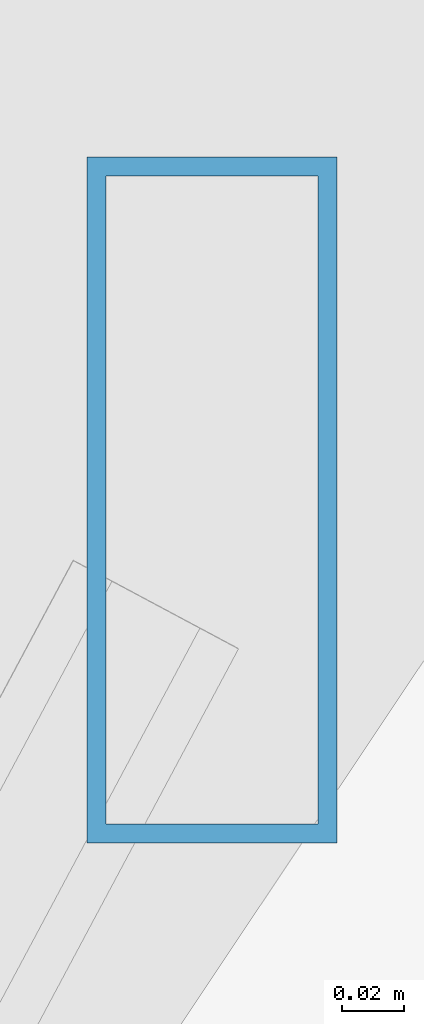
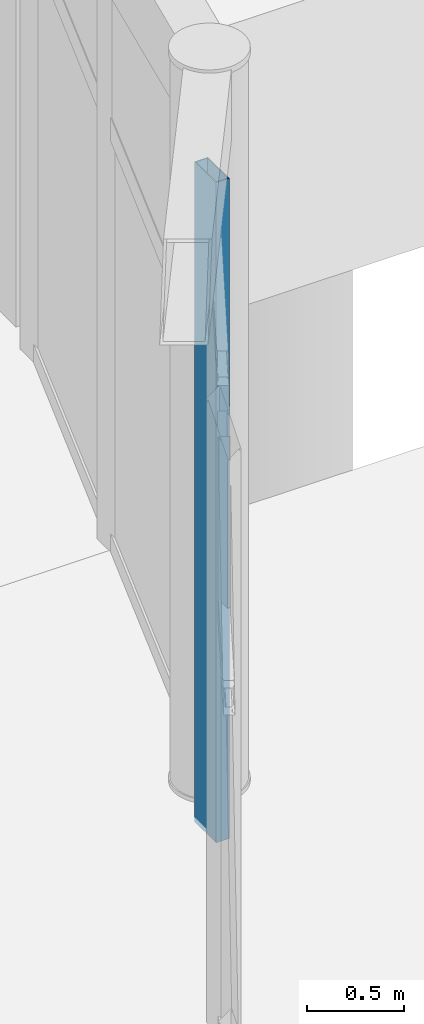
# One storey, part 77 of 160: 1 member, 1 element without a shape of its own.
"""IFC4 building model written with IfcOpenShell, lengths in metres."""

from ifc_helpers import new_model, si_unit, direction, frame, origin, origin_2d, place, context, subcontext, project, spatial, hollow_rectangle, extrude, material, layer, layer_set, material_profile, profile_set, type_object, element, aggregate, save


model = new_model("IFC4")

# Units and contexts
model_context = context("Model", 3, precision=1e-05, world=origin(), true_north=direction((0.0, 1.0)))
body_context = subcontext(model_context, "Body", "Model", "MODEL_VIEW")
ifc_project = project(units=[si_unit("LENGTHUNIT", "METRE"), si_unit("AREAUNIT", "SQUARE_METRE"), si_unit("VOLUMEUNIT", "CUBIC_METRE"), si_unit("PLANEANGLEUNIT", "RADIAN"), si_unit("MASSUNIT", "GRAM", prefix="KILO")], contexts=[model_context])

# Site, building, storey
site_placement = place(None, origin())
site = spatial("IfcSite", under=ifc_project, at=site_placement, CompositionType="ELEMENT")
building_placement = place(site_placement, origin())
building = spatial("IfcBuilding", under=site, at=building_placement, Name="Marlcrest Central Station", CompositionType="ELEMENT")
storey_placement = place(building_placement, origin())
storey = spatial("IfcBuildingStorey", under=building, at=storey_placement, Name="L00", CompositionType="ELEMENT", Elevation=0.0)

# Curtain wall, member
ifc_material_1 = material(Name="Anodised aluminium and hurricane laminated glass", Category="aluminium")
ifc_layer = layer(ifc_material_1, 0.219970703125, Name="CW-U1")
ifc_layer_set = layer_set([ifc_layer], Name="Anodised aluminium and hurricane laminated glass")
curtain_wall_type = type_object("IfcCurtainWallType", Name="CW-U1", PredefinedType="USERDEFINED", material=ifc_layer_set)
curtain_wall_placement = place(storey_placement, origin())
curtain_wall = element("IfcCurtainWall", 1, at=curtain_wall_placement, inside=storey, type_object=curtain_wall_type, Name="cw-L00-0006", ObjectType="UNITISED_CURTAIN_WALL", PredefinedType="USERDEFINED")
ifc_material_2 = material(Name="Anodised aluminium 6063-T6", Category="aluminium")
ifc_material_profile = material_profile(ifc_material_2, hollow_rectangle(XDim=0.080078125, YDim=0.219970703125, WallThickness=0.006103515625, at=origin_2d()), Name="AA-RHS 220x80x6")
ifc_profile_set = profile_set([ifc_material_profile], Name="Anodised aluminium 6063-T6")
member_type = type_object("IfcMemberType", Name="ML-01", PredefinedType="MULLION", material=ifc_profile_set)
member_placement = place(storey_placement, frame((127.210693359375, 14.107666015625, -0.030029296875), z_axis=(0.0, 0.0, 1.0), x_axis=(1.0, 0.0, 0.0)))
member = element("IfcMember", 2, at=member_placement, type_object=member_type, Name="cw-L00-0006-ml-0", PredefinedType="MULLION", context=body_context, shape_type="SweptSolid", body=[
    extrude(hollow_rectangle(XDim=0.080078125, YDim=0.219970703125, WallThickness=0.006103515625, at=origin_2d()), origin(), (0.0, 0.0, 1.0), 4.159912109375),
])
aggregate(curtain_wall, [member])

save(model, "model.ifc")
